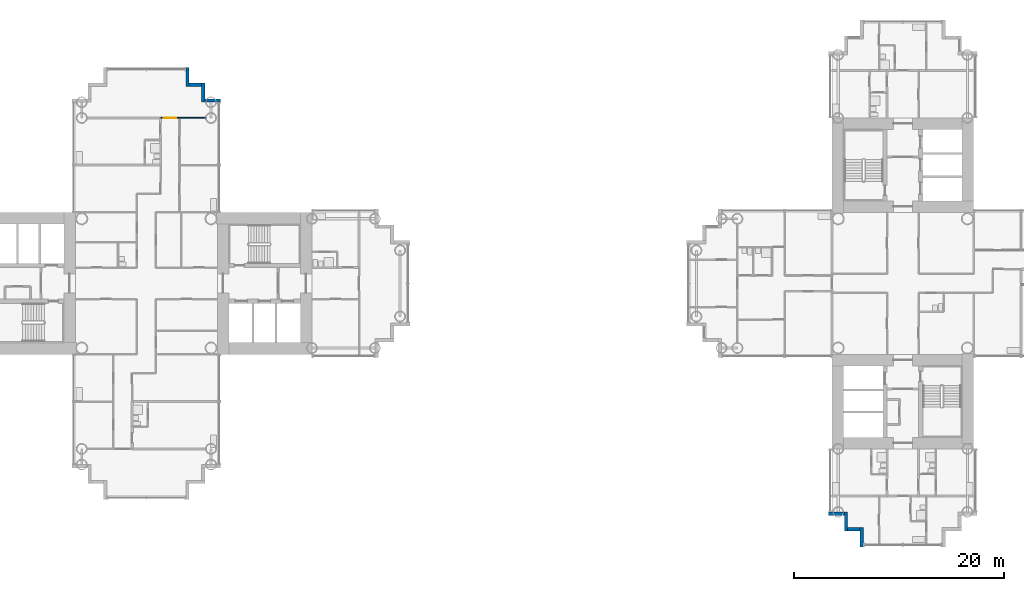
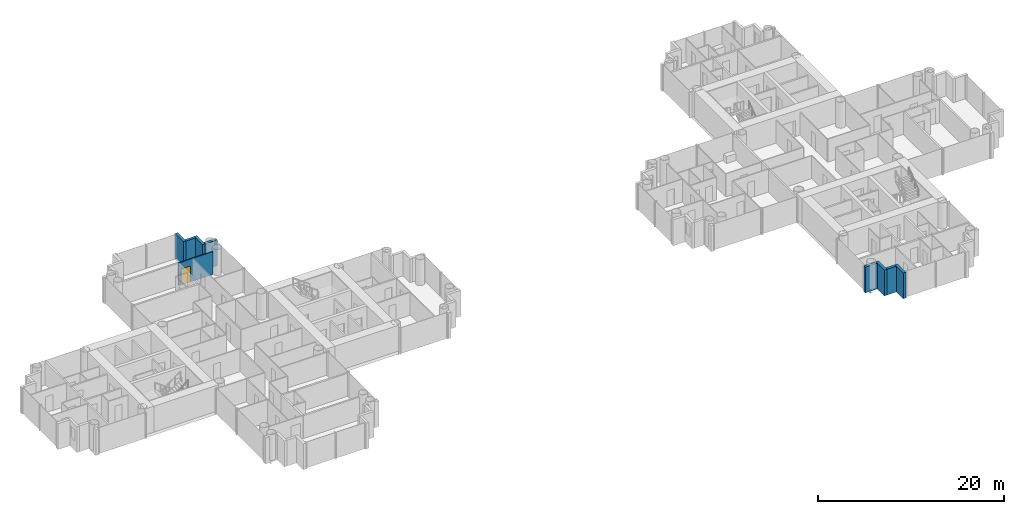
# One storey, part 12 of 22: 9 walls, 1 door, 1 opening.
"""IFC4 building model written with IfcOpenShell, lengths in metres."""

from ifc_helpers import new_model, si_unit, direction, frame, frame_2d, origin, place, context, subcontext, project, spatial, rectangle, extrude, material, layer, layer_set, type_object, element, fill, save


model = new_model("IFC4")

# Units and contexts
model_context = context("Model", 3, precision=1e-05, world=origin(), true_north=direction((0.0, 1.0)))
body_context = subcontext(model_context, "Body", "Model", "MODEL_VIEW")
ifc_project = project(units=[si_unit("LENGTHUNIT", "METRE"), si_unit("AREAUNIT", "SQUARE_METRE"), si_unit("VOLUMEUNIT", "CUBIC_METRE"), si_unit("PLANEANGLEUNIT", "RADIAN"), si_unit("MASSUNIT", "GRAM", prefix="KILO")], contexts=[model_context])

# Site, building, storey
site_placement = place(None, origin())
site = spatial("IfcSite", under=ifc_project, at=site_placement, CompositionType="ELEMENT")
building_placement = place(site_placement, origin())
building = spatial("IfcBuilding", under=site, at=building_placement, Name="Ipe Terrace Towers", CompositionType="ELEMENT")
storey_placement = place(building_placement, frame((0.0, 0.0, 55.10009765625)))
storey = spatial("IfcBuildingStorey", under=building, at=storey_placement, Name="L14", CompositionType="ELEMENT", Elevation=55.10009765625)

# Walls
ifc_material_1 = material(Name="Concrete C40/50 with buff precast cladding", Category="concrete")
ifc_layer_1 = layer(ifc_material_1, 0.320068359375)
ifc_layer_set_1 = layer_set([ifc_layer_1], Name="BUFF CLADDING WALL 320")
wall_type_1 = type_object("IfcWallType", Name="BUFF CLADDING WALL 320", PredefinedType="STANDARD", material=ifc_layer_set_1)
wall_1_placement = place(storey_placement, frame((-28.929931640625, 17.409912109375, -0.300048828125), z_axis=(0.0, 0.0, 1.0), x_axis=(-1.0, 0.0, 0.0)))
element("IfcWall", 1, at=wall_1_placement, inside=storey, type_object=wall_type_1, Name="T1-W-L14-34a wall", PredefinedType="STANDARD", context=body_context, shape_type="SweptSolid", body=[
    extrude(rectangle(XDim=1.5, YDim=0.320068359375, at=frame_2d((0.75, 0.0))), origin(), (0.0, 0.0, 1.0), 3.39990234375),
])
wall_2_placement = place(storey_placement, frame((-30.590087890625, 17.25, -0.300048828125), z_axis=(0.0, 0.0, 1.0), x_axis=(0.0, 1.0, 0.0)))
element("IfcWall", 2, at=wall_2_placement, inside=storey, type_object=wall_type_1, Name="T1-W-L14-35a wall", PredefinedType="STANDARD", context=body_context, shape_type="SweptSolid", body=[
    extrude(rectangle(XDim=1.820068359375, YDim=0.320068359375, at=frame_2d((0.91015625, 0.0))), origin(), (0.0, 0.0, 1.0), 3.39990234375),
])
wall_3_placement = place(storey_placement, frame((-30.75, 18.909912109375, -0.300048828125), z_axis=(0.0, 0.0, 1.0), x_axis=(-1.0, 0.0, 0.0)))
element("IfcWall", 3, at=wall_3_placement, inside=storey, type_object=wall_type_1, Name="T1-W-L14-36a wall", PredefinedType="STANDARD", context=body_context, shape_type="SweptSolid", body=[
    extrude(rectangle(XDim=1.179931640625, YDim=0.320068359375, at=frame_2d((0.58984375, 0.0))), origin(), (0.0, 0.0, 1.0), 3.39990234375),
])
wall_4_placement = place(storey_placement, frame((-32.090087890625, 18.75, -0.300048828125), z_axis=(0.0, 0.0, 1.0), x_axis=(0.0, 1.0, 0.0)))
element("IfcWall", 4, at=wall_4_placement, inside=storey, type_object=wall_type_1, Name="T1-W-L14-37a wall", PredefinedType="STANDARD", context=body_context, shape_type="SweptSolid", body=[
    extrude(rectangle(XDim=1.820068359375, YDim=0.320068359375, at=frame_2d((0.91015625, 0.0))), origin(), (0.0, 0.0, 1.0), 3.39990234375),
])
wall_5_placement = place(storey_placement, frame((28.929931640625, -21.909912109375, -0.300048828125), z_axis=(0.0, 0.0, 1.0), x_axis=(1.0, 0.0, 0.0)))
element("IfcWall", 5, at=wall_5_placement, inside=storey, type_object=wall_type_1, Name="T2-W-L14-47a wall", PredefinedType="STANDARD", context=body_context, shape_type="SweptSolid", body=[
    extrude(rectangle(XDim=1.5, YDim=0.320068359375, at=frame_2d((0.75, 0.0))), origin(), (0.0, 0.0, 1.0), 3.39990234375),
])
wall_6_placement = place(storey_placement, frame((30.590087890625, -21.75, -0.300048828125), z_axis=(0.0, 0.0, 1.0), x_axis=(0.0, -1.0, 0.0)))
element("IfcWall", 6, at=wall_6_placement, inside=storey, type_object=wall_type_1, Name="T2-W-L14-48a wall", PredefinedType="STANDARD", context=body_context, shape_type="SweptSolid", body=[
    extrude(rectangle(XDim=1.820068359375, YDim=0.320068359375, at=frame_2d((0.91015625, 0.0))), origin(), (0.0, 0.0, 1.0), 3.39990234375),
])
wall_7_placement = place(storey_placement, frame((30.75, -23.409912109375, -0.300048828125), z_axis=(0.0, 0.0, 1.0), x_axis=(1.0, 0.0, 0.0)))
element("IfcWall", 7, at=wall_7_placement, inside=storey, type_object=wall_type_1, Name="T2-W-L14-49a wall", PredefinedType="STANDARD", context=body_context, shape_type="SweptSolid", body=[
    extrude(rectangle(XDim=1.179931640625, YDim=0.320068359375, at=frame_2d((0.58984375, 0.0))), origin(), (0.0, 0.0, 1.0), 3.39990234375),
])
wall_8_placement = place(storey_placement, frame((32.090087890625, -23.25, -0.300048828125), z_axis=(0.0, 0.0, 1.0), x_axis=(0.0, -1.0, 0.0)))
element("IfcWall", 8, at=wall_8_placement, inside=storey, type_object=wall_type_1, Name="T2-W-L14-50a wall", PredefinedType="STANDARD", context=body_context, shape_type="SweptSolid", body=[
    extrude(rectangle(XDim=1.820068359375, YDim=0.320068359375, at=frame_2d((0.91015625, 0.0))), origin(), (0.0, 0.0, 1.0), 3.39990234375),
])

# Wall, opening, door
ifc_material_2 = material(Name="Gypsum board partition", Category="plasterboard")
ifc_layer_2 = layer(ifc_material_2, 0.10009765625)
ifc_layer_set_2 = layer_set([ifc_layer_2], Name="Gypsum board partition 100 mm")
wall_type_2 = type_object("IfcWallType", Name="Gypsum board partition 100 mm", PredefinedType="PARTITIONING", material=ifc_layer_set_2)
wall_9_placement = place(storey_placement, frame((-34.64990234375, 15.75, 0.0), z_axis=(0.0, 0.0, 1.0), x_axis=(1.0, 0.0, 0.0)))
wall_9 = element("IfcWall", 9, at=wall_9_placement, inside=storey, type_object=wall_type_2, Name="Gypsum board partition T1 L14 W52", PredefinedType="PARTITIONING", context=body_context, shape_type="SweptSolid", body=[
    extrude(rectangle(XDim=4.2998046875, YDim=0.10009765625, at=frame_2d((2.14990234375, 0.0))), origin(), (0.0, 0.0, 1.0), 3.0),
])
opening_placement = place(wall_9_placement, frame((0.300048828125, 0.0, 0.0)))
opening = element("IfcOpeningElement", 10, at=opening_placement, cuts=wall_9, Name="Opening T1-Z1D-14", PredefinedType="OPENING", context=body_context, shape_type="SweptSolid", body=[
    extrude(rectangle(XDim=1.199951171875, YDim=2.10009765625, at=frame_2d((0.60009765625, 1.050048828125))), frame((0.0, 0.06005859375, 0.0), z_axis=(0.0, -1.0, 0.0), x_axis=(1.0, 0.0, 0.0)), (0.0, 0.0, 1.0), 0.1201171875),
])
ifc_material_3 = material(Name="Timber door leaf", Category="wood")
door_type = type_object("IfcDoorType", Name="Lounge door 1200 x 2100", OperationType="NOTDEFINED", PredefinedType="DOOR", material=ifc_material_3)
door_placement = place(opening_placement, origin())
door = element("IfcDoor", 11, at=door_placement, inside=storey, type_object=door_type, Name="Lounge door T1-Z1D-14", OperationType="SINGLE_SWING_RIGHT", OverallHeight=2.10009765625, OverallWidth=1.199951171875, PredefinedType="DOOR", context=body_context, shape_type="SweptSolid", body=[
    extrude(rectangle(XDim=1.199951171875, YDim=2.10009765625, at=frame_2d((0.60009765625, 1.050048828125))), frame((0.0, 0.02490234375, 0.0), z_axis=(0.0, -1.0, 0.0), x_axis=(1.0, 0.0, 0.0)), (0.0, 0.0, 1.0), 0.050048828125),
])
fill(opening, door)

save(model, "model.ifc")
